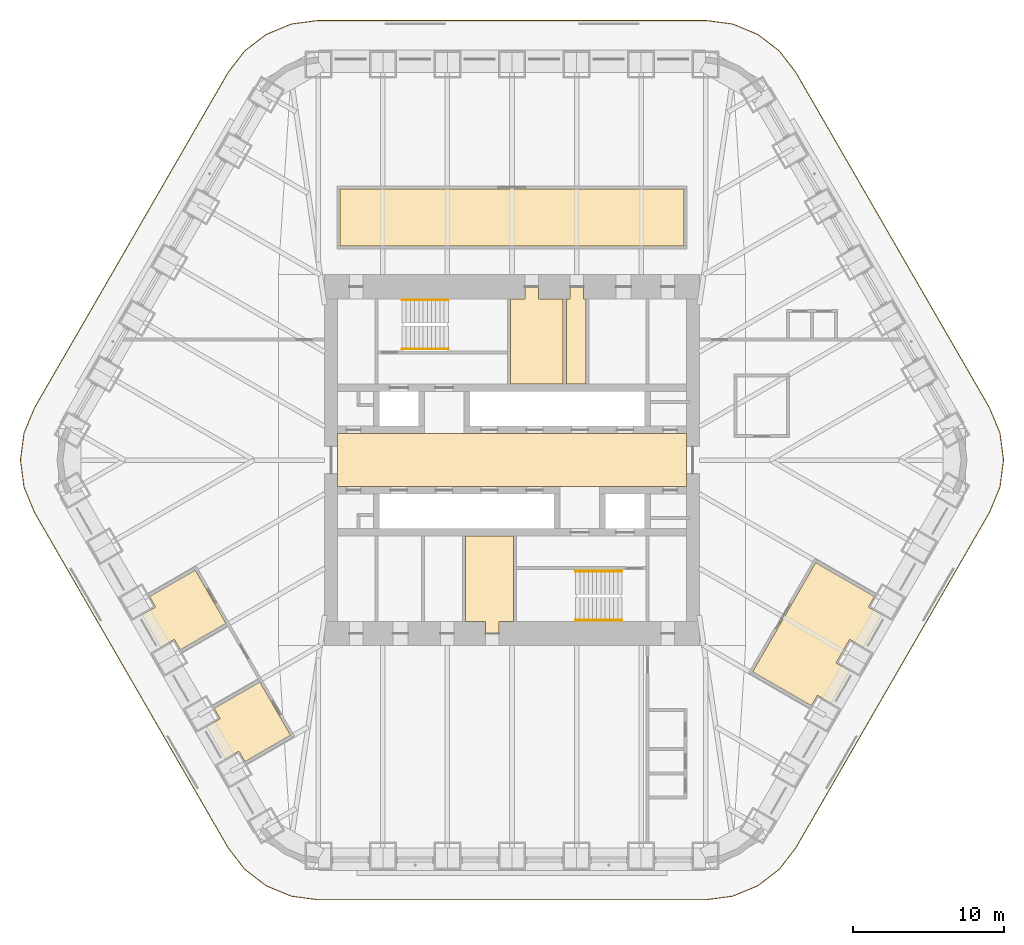
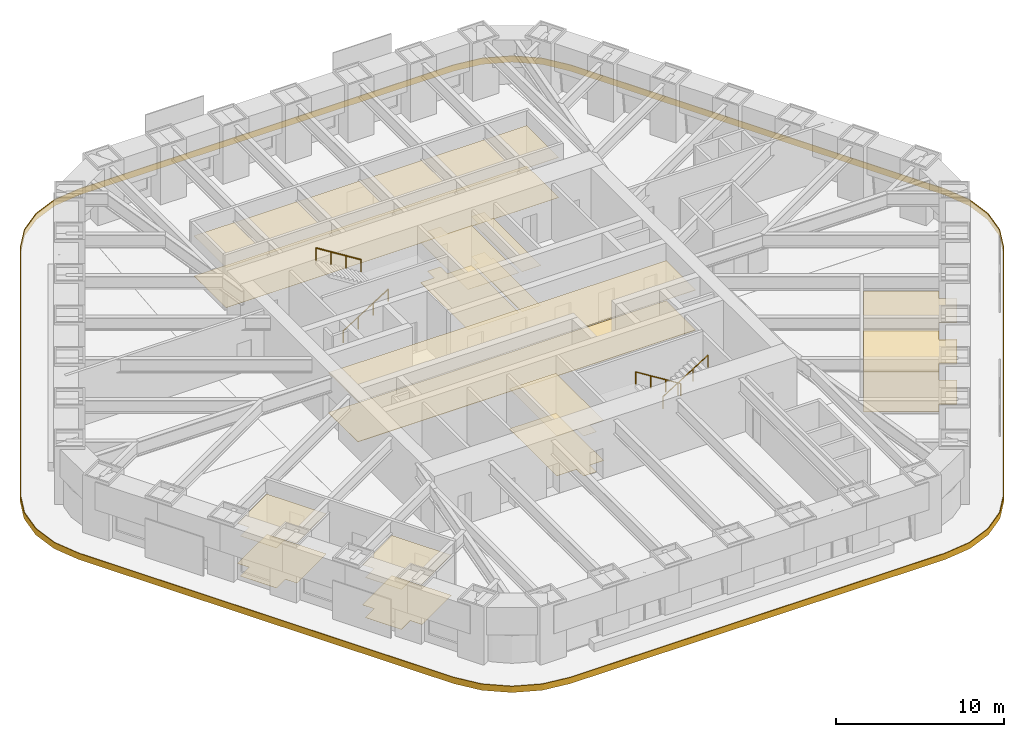
# One storey, part 17 of 18: 11 coverings, 4 railings.
"""IFC4 building model written with IfcOpenShell, lengths in metres."""

from ifc_helpers import new_model, si_unit, direction, frame, origin, origin_2d, place, context, subcontext, project, spatial, polyline, circle, outline, extrude, material, layer, layer_set, type_object, element, save


model = new_model("IFC4")

# Units and contexts
model_context = context("Model", 3, precision=1e-05, world=origin(), true_north=direction((0.0, 1.0)))
body_context = subcontext(model_context, "Body", "Model", "MODEL_VIEW")
ifc_project = project(units=[si_unit("LENGTHUNIT", "METRE"), si_unit("AREAUNIT", "SQUARE_METRE"), si_unit("VOLUMEUNIT", "CUBIC_METRE"), si_unit("PLANEANGLEUNIT", "RADIAN"), si_unit("MASSUNIT", "GRAM", prefix="KILO")], contexts=[model_context])

# Site, building, storey
site_placement = place(None, origin())
site = spatial("IfcSite", under=ifc_project, at=site_placement, CompositionType="ELEMENT")
building_placement = place(site_placement, origin())
building = spatial("IfcBuilding", under=site, at=building_placement, Name="Tarfa Lantern Tower", CompositionType="ELEMENT")
storey_placement = place(building_placement, frame((0.0, 0.0, 311.5)))
storey = spatial("IfcBuildingStorey", under=building, at=storey_placement, Name="L70", CompositionType="ELEMENT", Elevation=311.5)

# Coverings
ifc_material_1 = material(Name="Mineral fibre acoustic tile on suspension grid", Category="finish")
ifc_layer_1 = layer(ifc_material_1, 0.02001953125)
ifc_layer_set_1 = layer_set([ifc_layer_1], Name="CL1 ACOUSTIC TILE CEILING 20")
covering_type_1 = type_object("IfcCoveringType", Name="CL1 ACOUSTIC TILE CEILING 20", PredefinedType="CEILING", material=ifc_layer_set_1)
covering_1_placement = place(storey_placement, frame((0.0, 0.0, 2.89990234375)))
element("IfcCovering", 1, at=covering_1_placement, inside=storey, type_object=covering_type_1, Name="Ceiling L70 CL1", PredefinedType="CEILING", context=body_context, shape_type="SweptSolid", body=[
    extrude(outline(polyline([(20.147705078125, -6.80322265625), (24.044677734375, -9.05322265625), (23.644775390625, -9.74609375), (24.55419921875, -10.27099609375), (23.31298828125, -12.420654296875), (22.40380859375, -11.8955078125), (21.503662109375, -13.454345703125), (22.4130859375, -13.9794921875), (21.172119140625, -16.12890625), (20.2626953125, -15.60400390625), (19.86279296875, -16.296630859375), (15.965576171875, -14.046630859375), (20.147705078125, -6.80322265625)])), origin(), (0.0, 0.0, 1.0), 0.02001953125),
    extrude(outline(polyline([(-18.97265625, -10.83837890625), (-22.003662109375, -12.58837890625), (-22.40380859375, -11.8955078125), (-23.31298828125, -12.420654296875), (-24.55419921875, -10.27099609375), (-23.644775390625, -9.74609375), (-24.044677734375, -9.05322265625), (-21.013671875, -7.30322265625), (-18.97265625, -10.83837890625)])), origin(), (0.0, 0.0, 1.0), 0.02001953125),
    extrude(outline(polyline([(-14.690673828125, -18.255126953125), (-17.7216796875, -20.005126953125), (-18.121826171875, -19.312255859375), (-19.031005859375, -19.837158203125), (-20.27197265625, -17.687744140625), (-19.36279296875, -17.162841796875), (-19.7626953125, -16.469970703125), (-16.731689453125, -14.719970703125), (-14.690673828125, -18.255126953125)])), origin(), (0.0, 0.0, 1.0), 0.02001953125),
    extrude(outline(polyline([(-11.39990234375, 18.0), (11.39990234375, 18.0), (11.39990234375, 14.199951171875), (-11.39990234375, 14.199951171875), (-11.39990234375, 18.0)])), origin(), (0.0, 0.0, 1.0), 0.02001953125),
])
ifc_material_2 = material(Name="Moisture-resistant plasterboard", Category="finish")
ifc_layer_2 = layer(ifc_material_2, 0.014892578125)
ifc_layer_set_2 = layer_set([ifc_layer_2], Name="CL2 MOISTURE-RESISTANT PLASTERBOARD CEILING 15")
covering_type_2 = type_object("IfcCoveringType", Name="CL2 MOISTURE-RESISTANT PLASTERBOARD CEILING 15", PredefinedType="CEILING", material=ifc_layer_set_2)
covering_2_placement = place(storey_placement, frame((0.0, 0.0, 2.89990234375)))
element("IfcCovering", 2, at=covering_2_placement, inside=storey, type_object=covering_type_2, Name="Ceiling L70-05", PredefinedType="CEILING", context=body_context, shape_type="SweptSolid", body=[
    extrude(outline(polyline([(0.85009765625, 10.699951171875), (-0.10009765625, 10.699951171875), (-0.10009765625, 5.050048828125), (3.39990234375, 5.050048828125), (3.39990234375, 10.699951171875), (1.75, 10.699951171875), (1.75, 11.5), (0.85009765625, 11.5), (0.85009765625, 11.5), (0.85009765625, 10.699951171875)])), origin(), (0.0, 0.0, 1.0), 0.01513671875),
])
covering_3_placement = place(storey_placement, frame((0.0, 0.0, 2.89990234375)))
element("IfcCovering", 3, at=covering_3_placement, inside=storey, type_object=covering_type_2, Name="Ceiling L70-06", PredefinedType="CEILING", context=body_context, shape_type="SweptSolid", body=[
    extrude(outline(polyline([(3.60009765625, 5.050048828125), (4.89990234375, 5.050048828125), (4.89990234375, 10.699951171875), (4.75, 10.699951171875), (4.75, 11.5), (3.85009765625, 11.5), (3.85009765625, 10.699951171875), (3.60009765625, 10.699951171875), (3.60009765625, 5.050048828125)])), origin(), (0.0, 0.0, 1.0), 0.01513671875),
])
covering_4_placement = place(storey_placement, frame((0.0, 0.0, 2.89990234375)))
element("IfcCovering", 4, at=covering_4_placement, inside=storey, type_object=covering_type_2, Name="Ceiling L70-13", PredefinedType="CEILING", context=body_context, shape_type="SweptSolid", body=[
    extrude(outline(polyline([(-0.85009765625, -10.699951171875), (0.10009765625, -10.699951171875), (0.10009765625, -5.050048828125), (-3.10009765625, -5.050048828125), (-3.10009765625, -10.699951171875), (-1.75, -10.699951171875), (-1.75, -11.5), (-0.85009765625, -11.5), (-0.85009765625, -10.699951171875)])), origin(), (0.0, 0.0, 1.0), 0.01513671875),
])
ifc_material_3 = material(Name="Powder-coated aluminium panel", Category="aluminium")
ifc_layer_3 = layer(ifc_material_3, 0.030029296875)
ifc_layer_set_3 = layer_set([ifc_layer_3], Name="CL3 METAL PANEL CEILING 30")
covering_type_3 = type_object("IfcCoveringType", Name="CL3 METAL PANEL CEILING 30", PredefinedType="CEILING", material=ifc_layer_set_3)
covering_5_placement = place(storey_placement, frame((0.0, 0.0, 2.89990234375)))
element("IfcCovering", 5, at=covering_5_placement, inside=storey, type_object=covering_type_3, Name="Ceiling L70-01", PredefinedType="CEILING", context=body_context, shape_type="SweptSolid", body=[
    extrude(outline(polyline([(-11.574951171875, -1.75), (11.574951171875, -1.75), (11.574951171875, 1.75), (-11.574951171875, 1.75), (-11.574951171875, -1.75)])), origin(), (0.0, 0.0, 1.0), 0.030029296875),
])
ifc_material_4 = material(Name="Nylon carpet tile", Category="finish")
ifc_layer_4 = layer(ifc_material_4, 0.010009765625)
ifc_layer_set_4 = layer_set([ifc_layer_4], Name="FL1 CARPET TILE 10")
covering_type_4 = type_object("IfcCoveringType", Name="FL1 CARPET TILE 10", PredefinedType="FLOORING", material=ifc_layer_set_4)
covering_6_placement = place(storey_placement, origin())
element("IfcCovering", 6, at=covering_6_placement, inside=storey, type_object=covering_type_4, Name="Floor finish L70 FL1", PredefinedType="FLOORING", context=body_context, shape_type="SweptSolid", body=[
    extrude(outline(polyline([(20.147705078125, -6.80322265625), (24.044677734375, -9.05322265625), (23.644775390625, -9.74609375), (24.55419921875, -10.27099609375), (23.31298828125, -12.420654296875), (22.40380859375, -11.8955078125), (21.503662109375, -13.454345703125), (22.4130859375, -13.9794921875), (21.172119140625, -16.12890625), (20.2626953125, -15.60400390625), (19.86279296875, -16.296630859375), (15.965576171875, -14.046630859375), (20.147705078125, -6.80322265625)])), origin(), (0.0, 0.0, 1.0), 0.010009765625),
    extrude(outline(polyline([(-18.97265625, -10.83837890625), (-22.003662109375, -12.58837890625), (-22.40380859375, -11.8955078125), (-23.31298828125, -12.420654296875), (-24.55419921875, -10.27099609375), (-23.644775390625, -9.74609375), (-24.044677734375, -9.05322265625), (-21.013671875, -7.30322265625), (-18.97265625, -10.83837890625)])), origin(), (0.0, 0.0, 1.0), 0.010009765625),
    extrude(outline(polyline([(-14.690673828125, -18.255126953125), (-17.7216796875, -20.005126953125), (-18.121826171875, -19.312255859375), (-19.031005859375, -19.837158203125), (-20.27197265625, -17.687744140625), (-19.36279296875, -17.162841796875), (-19.7626953125, -16.469970703125), (-16.731689453125, -14.719970703125), (-14.690673828125, -18.255126953125)])), origin(), (0.0, 0.0, 1.0), 0.010009765625),
    extrude(outline(polyline([(-11.39990234375, 18.0), (11.39990234375, 18.0), (11.39990234375, 14.199951171875), (-11.39990234375, 14.199951171875), (-11.39990234375, 18.0)])), origin(), (0.0, 0.0, 1.0), 0.010009765625),
])
ifc_material_5 = material(Name="Honed limestone flooring", Category="masonry")
ifc_layer_5 = layer(ifc_material_5, 0.030029296875)
ifc_layer_set_5 = layer_set([ifc_layer_5], Name="FL2 STONE FLOORING 30")
covering_type_5 = type_object("IfcCoveringType", Name="FL2 STONE FLOORING 30", PredefinedType="FLOORING", material=ifc_layer_set_5)
covering_7_placement = place(storey_placement, origin())
element("IfcCovering", 7, at=covering_7_placement, inside=storey, type_object=covering_type_5, Name="Floor finish L70-01", PredefinedType="FLOORING", context=body_context, shape_type="SweptSolid", body=[
    extrude(outline(polyline([(-11.574951171875, -1.75), (11.574951171875, -1.75), (11.574951171875, 1.75), (-11.574951171875, 1.75), (-11.574951171875, -1.75)])), origin(), (0.0, 0.0, 1.0), 0.030029296875),
])
ifc_material_6 = material(Name="Porcelain floor tile", Category="finish")
ifc_layer_6 = layer(ifc_material_6, 0.011962890625)
ifc_layer_set_6 = layer_set([ifc_layer_6], Name="FL3 CERAMIC TILE 12")
covering_type_6 = type_object("IfcCoveringType", Name="FL3 CERAMIC TILE 12", PredefinedType="FLOORING", material=ifc_layer_set_6)
covering_8_placement = place(storey_placement, origin())
element("IfcCovering", 8, at=covering_8_placement, inside=storey, type_object=covering_type_6, Name="Floor finish L70-05", PredefinedType="FLOORING", context=body_context, shape_type="SweptSolid", body=[
    extrude(outline(polyline([(0.85009765625, 10.699951171875), (-0.10009765625, 10.699951171875), (-0.10009765625, 5.050048828125), (3.39990234375, 5.050048828125), (3.39990234375, 10.699951171875), (1.75, 10.699951171875), (1.75, 11.5), (0.85009765625, 11.5), (0.85009765625, 11.5), (0.85009765625, 10.699951171875)])), origin(), (0.0, 0.0, 1.0), 0.011962890625),
])
covering_9_placement = place(storey_placement, origin())
element("IfcCovering", 9, at=covering_9_placement, inside=storey, type_object=covering_type_6, Name="Floor finish L70-06", PredefinedType="FLOORING", context=body_context, shape_type="SweptSolid", body=[
    extrude(outline(polyline([(3.60009765625, 5.050048828125), (4.89990234375, 5.050048828125), (4.89990234375, 10.699951171875), (4.75, 10.699951171875), (4.75, 11.5), (3.85009765625, 11.5), (3.85009765625, 10.699951171875), (3.60009765625, 10.699951171875), (3.60009765625, 5.050048828125)])), origin(), (0.0, 0.0, 1.0), 0.011962890625),
])
covering_10_placement = place(storey_placement, origin())
element("IfcCovering", 10, at=covering_10_placement, inside=storey, type_object=covering_type_6, Name="Floor finish L70-13", PredefinedType="FLOORING", context=body_context, shape_type="SweptSolid", body=[
    extrude(outline(polyline([(-0.85009765625, -10.699951171875), (0.10009765625, -10.699951171875), (0.10009765625, -5.050048828125), (-3.10009765625, -5.050048828125), (-3.10009765625, -10.699951171875), (-1.75, -10.699951171875), (-1.75, -11.5), (-0.85009765625, -11.5), (-0.85009765625, -10.699951171875)])), origin(), (0.0, 0.0, 1.0), 0.011962890625),
])

# Railings
ifc_material_7 = material(Name="Stainless steel", Category="steel")
railing_type = type_object("IfcRailingType", Name="HR1 HANDRAIL 900", PredefinedType="HANDRAIL", material=ifc_material_7)
railing_1_placement = place(storey_placement, frame((-7.300048828125, 7.3798828125, 0.175048828125)))
element("IfcRailing", 11, at=railing_1_placement, inside=storey, type_object=railing_type, Name="Handrail 1", PredefinedType="HANDRAIL", context=body_context, shape_type="SweptSolid", body=[
    extrude(circle(Radius=0.02392578125, at=origin_2d()), frame((0.0, 0.0, 0.8759765625), z_axis=(0.847998304005, 0.0, 0.529998940003), x_axis=(0.0, 1.0, 0.0)), (0.0, 0.0, 1.0), 3.632080078125),
    extrude(circle(Radius=0.02099609375, at=origin_2d()), frame((0.0, 0.0, 0.0), z_axis=(0.0, 0.0, 1.0), x_axis=(0.0, 1.0, 0.0)), (0.0, 0.0, 1.0), 0.851806640625),
    extrude(circle(Radius=0.02099609375, at=origin_2d()), frame((1.026611328125, 0.0, 0.6416015625), z_axis=(0.0, 0.0, 1.0), x_axis=(0.0, 1.0, 0.0)), (0.0, 0.0, 1.0), 0.851806640625),
    extrude(circle(Radius=0.02099609375, at=origin_2d()), frame((2.053466796875, 0.0, 1.283447265625), z_axis=(0.0, 0.0, 1.0), x_axis=(0.0, 1.0, 0.0)), (0.0, 0.0, 1.0), 0.851806640625),
    extrude(circle(Radius=0.02099609375, at=origin_2d()), frame((3.080078125, 0.0, 1.925048828125), z_axis=(0.0, 0.0, 1.0), x_axis=(0.0, 1.0, 0.0)), (0.0, 0.0, 1.0), 0.851806640625),
])
for number, where, name in (
    (12, (-4.219970703125, 10.6201171875, 2.27490234375), "Handrail 2"),
    (13, (7.300048828125, -7.3798828125, 0.175048828125), "Handrail 1"),
):
    element("IfcRailing", number, at=place(storey_placement, frame(where)), inside=storey, type_object=railing_type, Name=name, PredefinedType="HANDRAIL", context=body_context, shape_type="SweptSolid", body=[
        extrude(circle(Radius=0.02392578125, at=origin_2d()), frame((0.0, 0.0, 0.8759765625), z_axis=(-0.847998304005, 0.0, 0.529998940003), x_axis=(0.0, -1.0, 0.0)), (0.0, 0.0, 1.0), 3.632080078125),
        extrude(circle(Radius=0.02099609375, at=origin_2d()), frame((0.0, 0.0, 0.0), z_axis=(0.0, 0.0, 1.0), x_axis=(0.0, -1.0, 0.0)), (0.0, 0.0, 1.0), 0.851806640625),
        extrude(circle(Radius=0.02099609375, at=origin_2d()), frame((-1.026611328125, 0.0, 0.6416015625), z_axis=(0.0, 0.0, 1.0), x_axis=(0.0, -1.0, 0.0)), (0.0, 0.0, 1.0), 0.851806640625),
        extrude(circle(Radius=0.02099609375, at=origin_2d()), frame((-2.053466796875, 0.0, 1.283447265625), z_axis=(0.0, 0.0, 1.0), x_axis=(0.0, -1.0, 0.0)), (0.0, 0.0, 1.0), 0.851806640625),
        extrude(circle(Radius=0.02099609375, at=origin_2d()), frame((-3.080078125, 0.0, 1.925048828125), z_axis=(0.0, 0.0, 1.0), x_axis=(0.0, -1.0, 0.0)), (0.0, 0.0, 1.0), 0.851806640625),
    ])
railing_2_placement = place(storey_placement, frame((4.219970703125, -10.6201171875, 2.27490234375)))
element("IfcRailing", 14, at=railing_2_placement, inside=storey, type_object=railing_type, Name="Handrail 2", PredefinedType="HANDRAIL", context=body_context, shape_type="SweptSolid", body=[
    extrude(circle(Radius=0.02392578125, at=origin_2d()), frame((0.0, 0.0, 0.8759765625), z_axis=(0.847998304005, 0.0, 0.529998940003), x_axis=(0.0, 1.0, 0.0)), (0.0, 0.0, 1.0), 3.632080078125),
    extrude(circle(Radius=0.02099609375, at=origin_2d()), frame((0.0, 0.0, 0.0), z_axis=(0.0, 0.0, 1.0), x_axis=(0.0, 1.0, 0.0)), (0.0, 0.0, 1.0), 0.851806640625),
    extrude(circle(Radius=0.02099609375, at=origin_2d()), frame((1.026611328125, 0.0, 0.6416015625), z_axis=(0.0, 0.0, 1.0), x_axis=(0.0, 1.0, 0.0)), (0.0, 0.0, 1.0), 0.851806640625),
    extrude(circle(Radius=0.02099609375, at=origin_2d()), frame((2.053466796875, 0.0, 1.283447265625), z_axis=(0.0, 0.0, 1.0), x_axis=(0.0, 1.0, 0.0)), (0.0, 0.0, 1.0), 0.851806640625),
    extrude(circle(Radius=0.02099609375, at=origin_2d()), frame((3.080078125, 0.0, 1.925048828125), z_axis=(0.0, 0.0, 1.0), x_axis=(0.0, 1.0, 0.0)), (0.0, 0.0, 1.0), 0.851806640625),
])

# Covering
ifc_material_8 = material(Name="Limestone cladding on brackets", Category="masonry")
ifc_layer_7 = layer(ifc_material_8, 0.050048828125)
ifc_layer_set_7 = layer_set([ifc_layer_7], Name="SB1 STONE BAND CLADDING 50")
covering_type_7 = type_object("IfcCoveringType", Name="SB1 STONE BAND CLADDING 50", PredefinedType="CLADDING", material=ifc_layer_set_7)
covering_11_placement = place(storey_placement, frame((0.0, 0.0, -0.39990234375)))
element("IfcCovering", 15, at=covering_11_placement, inside=storey, type_object=covering_type_7, Name="Stone band", PredefinedType="CLADDING", context=body_context, shape_type="SweptSolid", body=[
    extrude(outline(polyline([(31.7109375, 3.47509765625), (18.864990234375, 25.72509765625), (17.760498046875, 27.164306640625), (16.321044921875, 28.268798828125), (14.644775390625, 28.963134765625), (12.845947265625, 29.199951171875), (-12.845947265625, 29.199951171875), (-14.644775390625, 28.963134765625), (-16.321044921875, 28.268798828125), (-17.760498046875, 27.164306640625), (-18.864990234375, 25.72509765625), (-31.7109375, 3.47509765625), (-32.4052734375, 1.798828125), (-32.64208984375, 0.0), (-32.4052734375, -1.798828125), (-31.7109375, -3.47509765625), (-18.864990234375, -25.72509765625), (-17.760498046875, -27.164306640625), (-16.321044921875, -28.268798828125), (-14.644775390625, -28.963134765625), (-12.845947265625, -29.199951171875), (12.845947265625, -29.199951171875), (14.644775390625, -28.963134765625), (16.321044921875, -28.268798828125), (17.760498046875, -27.164306640625), (18.864990234375, -25.72509765625), (31.7109375, -3.47509765625), (32.4052734375, -1.798828125), (32.64208984375, 0.0), (32.4052734375, 1.798828125), (31.7109375, 3.47509765625)]), holes=[polyline([(31.667724609375, 3.449951171875), (18.821533203125, 25.699951171875), (17.72509765625, 27.129150390625), (16.296142578125, 28.2255859375), (14.6318359375, 28.914794921875), (12.845947265625, 29.14990234375), (-12.845947265625, 29.14990234375), (-14.6318359375, 28.914794921875), (-16.296142578125, 28.2255859375), (-17.72509765625, 27.129150390625), (-18.821533203125, 25.699951171875), (-31.667724609375, 3.449951171875), (-32.35693359375, 1.785888671875), (-32.592041015625, 0.0), (-32.35693359375, -1.785888671875), (-31.667724609375, -3.449951171875), (-18.821533203125, -25.699951171875), (-17.72509765625, -27.129150390625), (-16.296142578125, -28.2255859375), (-14.6318359375, -28.914794921875), (-12.845947265625, -29.14990234375), (12.845947265625, -29.14990234375), (14.6318359375, -28.914794921875), (16.296142578125, -28.2255859375), (17.72509765625, -27.129150390625), (18.821533203125, -25.699951171875), (31.667724609375, -3.449951171875), (32.35693359375, -1.785888671875), (32.592041015625, 0.0), (32.35693359375, 1.785888671875), (31.667724609375, 3.449951171875)])]), origin(), (0.0, 0.0, 1.0), 0.449951171875),
])

save(model, "model.ifc")
